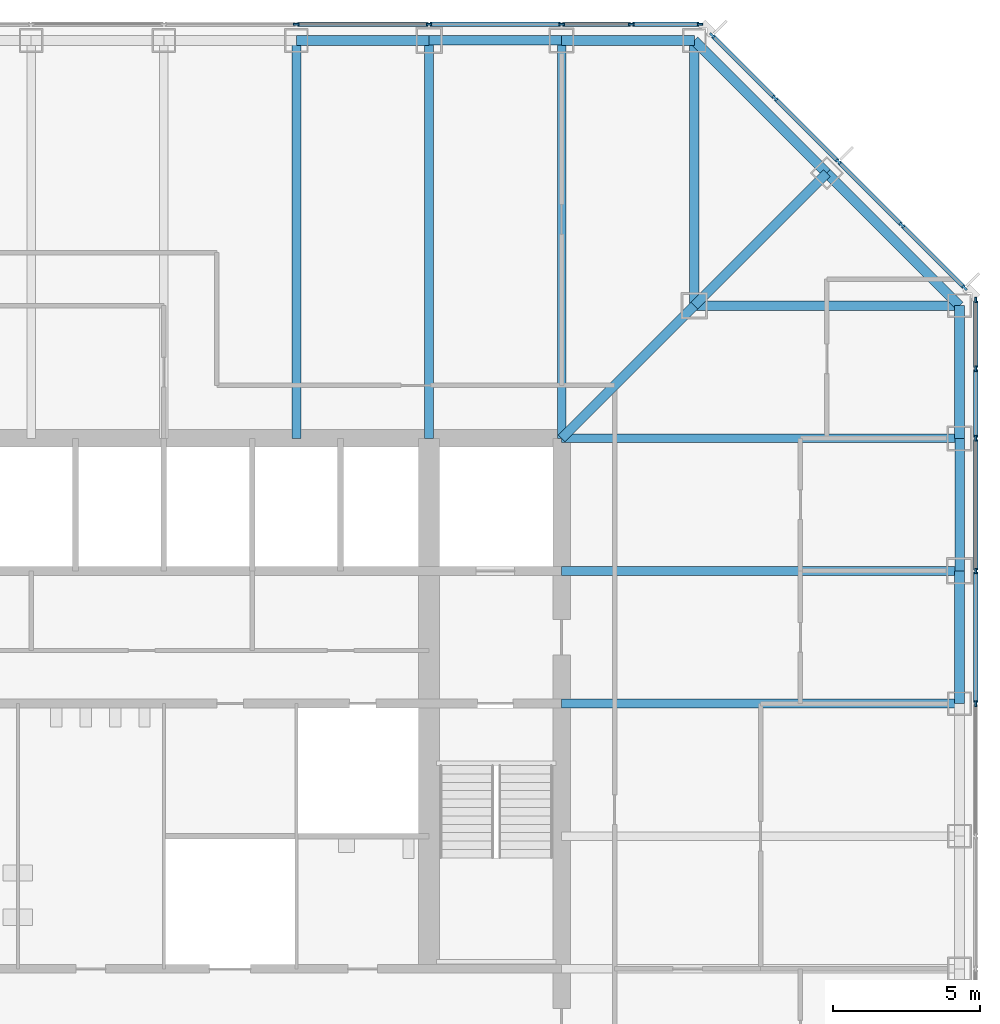
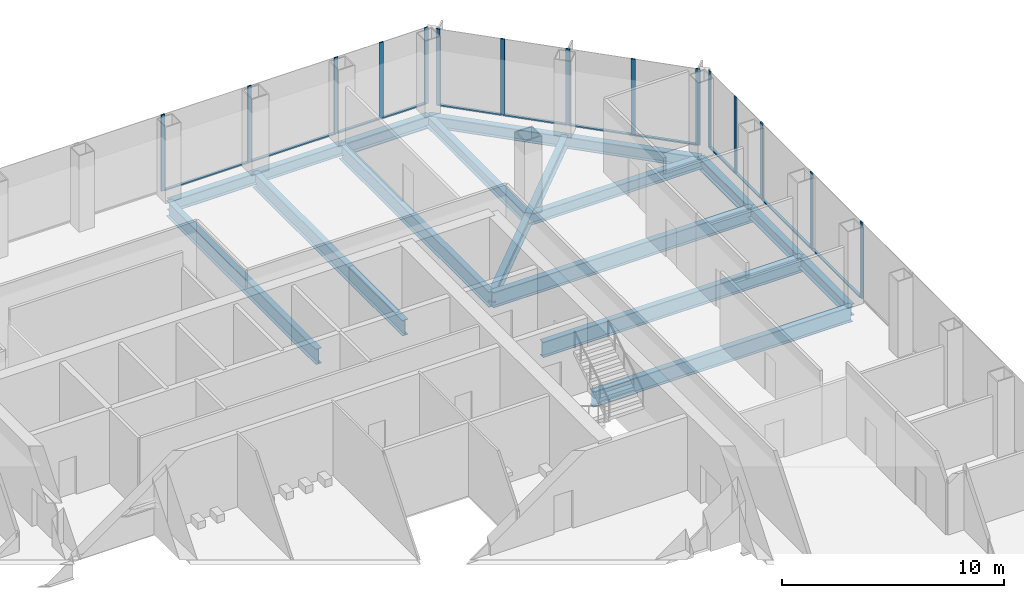
# One storey, part 6 of 12: 27 members, 18 beams, 3 elements without a shape of their own.
"""IFC4 building model written with IfcOpenShell, lengths in metres."""

from ifc_helpers import new_model, si_unit, direction, frame, origin, origin_2d, place, context, subcontext, project, spatial, rectangle, i_section, extrude, material, material_profile, profile_set, type_object, element, aggregate, save


model = new_model("IFC4")

# Units and contexts
model_context = context("Model", 3, precision=1e-05, world=origin(), true_north=direction((0.0, 1.0)))
body_context = subcontext(model_context, "Body", "Model", "MODEL_VIEW")
ifc_project = project(units=[si_unit("LENGTHUNIT", "METRE"), si_unit("AREAUNIT", "SQUARE_METRE"), si_unit("VOLUMEUNIT", "CUBIC_METRE"), si_unit("PLANEANGLEUNIT", "RADIAN"), si_unit("MASSUNIT", "GRAM", prefix="KILO")], contexts=[model_context])

# Site, building, storey
site_placement = place(None, origin())
site = spatial("IfcSite", under=ifc_project, at=site_placement, CompositionType="ELEMENT")
building_placement = place(site_placement, origin())
building = spatial("IfcBuilding", under=site, at=building_placement, Name="Corais Broadcast Tower", CompositionType="ELEMENT")
storey_placement = place(building_placement, frame((0.0, 0.0, 71.0)))
storey = spatial("IfcBuildingStorey", under=building, at=storey_placement, Name="L15", CompositionType="ELEMENT", Elevation=71.0)

# Beams
ifc_material_1 = material(Name="Steel ASTM A572 Grade 50", Category="steel")
ifc_material_profile_1 = material_profile(ifc_material_1, i_section(OverallWidth=0.323974609375, OverallDepth=0.611083984375, WebThickness=0.0126953125, FlangeThickness=0.01904296875, at=origin_2d()), Name="W610x155")
ifc_profile_set_1 = profile_set([ifc_material_profile_1], Name="Steel ASTM A572 Grade 50")
beam_type_1 = type_object("IfcBeamType", Name="Chamfer tie W610x155", PredefinedType="BEAM", material=ifc_profile_set_1)
beam_1_placement = place(storey_placement, frame((49.5, 49.5, -0.465576171875), z_axis=(-0.707106781187, -0.707106781187, 0.0), x_axis=(0.707106781187, -0.707106781187, 0.0)))
element("IfcBeam", 1, at=beam_1_placement, inside=storey, type_object=beam_type_1, Name="B5 M/14 to L/13", PredefinedType="BEAM", context=body_context, shape_type="SweptSolid", body=[
    extrude(i_section(OverallWidth=0.323974609375, OverallDepth=0.611083984375, WebThickness=0.0126953125, FlangeThickness=0.01904296875, at=origin_2d()), origin(), (0.0, 0.0, 1.0), 6.364013671875),
])
ifc_material_2 = material(Name="Steel ASTM A572 Grade 50", Category="steel")
ifc_material_profile_2 = material_profile(ifc_material_2, i_section(OverallWidth=0.323974609375, OverallDepth=0.611083984375, WebThickness=0.0126953125, FlangeThickness=0.01904296875, at=origin_2d()), Name="W610x155")
ifc_profile_set_2 = profile_set([ifc_material_profile_2], Name="Steel ASTM A572 Grade 50")
beam_type_2 = type_object("IfcBeamType", Name="Corner diagonal W610x155", PredefinedType="BEAM", material=ifc_profile_set_2)
beam_2_placement = place(storey_placement, frame((45.0, 45.0, -0.465576171875), z_axis=(-0.707106781187, -0.707106781187, 0.0), x_axis=(0.707106781187, -0.707106781187, 0.0)))
element("IfcBeam", 2, at=beam_2_placement, inside=storey, type_object=beam_type_2, Name="B6 L/13 to K/12", PredefinedType="BEAM", context=body_context, shape_type="SweptSolid", body=[
    extrude(i_section(OverallWidth=0.323974609375, OverallDepth=0.611083984375, WebThickness=0.0126953125, FlangeThickness=0.01904296875, at=origin_2d()), origin(), (0.0, 0.0, 1.0), 6.364013671875),
])
ifc_material_3 = material(Name="Steel ASTM A572 Grade 50", Category="steel")
ifc_material_profile_3 = material_profile(ifc_material_3, i_section(OverallWidth=0.323974609375, OverallDepth=0.611083984375, WebThickness=0.0126953125, FlangeThickness=0.01904296875, at=origin_2d()), Name="W610x155")
ifc_profile_set_3 = profile_set([ifc_material_profile_3], Name="Steel ASTM A572 Grade 50")
beam_type_3 = type_object("IfcBeamType", Name="Corner girder W610x155", PredefinedType="BEAM", material=ifc_profile_set_3)
for number, where, z_axis, x_axis, name in (
    (3, (45.0, 54.0, -0.465576171875), (0.0, -1.0, 0.0), (1.0, 0.0, 0.0), "B4 N/13 to L/13"),
    (4, (54.0, 45.0, -0.465576171875), (-1.0, 0.0, 0.0), (0.0, -1.0, 0.0), "B4 L/15 to L/13"),
):
    element("IfcBeam", number, at=place(storey_placement, frame(where, z_axis=z_axis, x_axis=x_axis)), inside=storey, type_object=beam_type_3, Name=name, PredefinedType="BEAM", context=body_context, shape_type="SweptSolid", body=[
        extrude(i_section(OverallWidth=0.323974609375, OverallDepth=0.611083984375, WebThickness=0.0126953125, FlangeThickness=0.01904296875, at=origin_2d()), origin(), (0.0, 0.0, 1.0), 9.0),
    ])
ifc_material_4 = material(Name="Steel ASTM A572 Grade 50", Category="steel")
ifc_material_profile_4 = material_profile(ifc_material_4, i_section(OverallWidth=0.337890625, OverallDepth=0.677978515625, WebThickness=0.029541015625, FlangeThickness=0.052978515625, at=origin_2d()), Name="W610x415")
ifc_profile_set_4 = profile_set([ifc_material_profile_4], Name="Steel ASTM A572 Grade 50")
beam_type_4 = type_object("IfcBeamType", Name="Corner spandrel W610x415", PredefinedType="BEAM", material=ifc_profile_set_4)
for number, where, z_axis, x_axis, name in (
    (5, (45.0, 54.0, -0.4990234375), (-1.0, 0.0, 0.0), (0.0, -1.0, 0.0), "SB10 N/13 to N/12"),
    (6, (54.0, 40.5, -0.4990234375), (0.0, 1.0, 0.0), (-1.0, 0.0, 0.0), "SB10 K/15 to L/15"),
):
    element("IfcBeam", number, at=place(storey_placement, frame(where, z_axis=z_axis, x_axis=x_axis)), inside=storey, type_object=beam_type_4, Name=name, PredefinedType="BEAM", context=body_context, shape_type="SweptSolid", body=[
        extrude(i_section(OverallWidth=0.337890625, OverallDepth=0.677978515625, WebThickness=0.029541015625, FlangeThickness=0.052978515625, at=origin_2d()), origin(), (0.0, 0.0, 1.0), 4.5),
    ])
ifc_material_5 = material(Name="Steel ASTM A572 Grade 50", Category="steel")
ifc_material_profile_5 = material_profile(ifc_material_5, i_section(OverallWidth=0.2939453125, OverallDepth=0.85107421875, WebThickness=0.01611328125, FlangeThickness=0.02685546875, at=origin_2d()), Name="W840x226")
ifc_profile_set_5 = profile_set([ifc_material_profile_5], Name="Steel ASTM A572 Grade 50")
beam_type_5 = type_object("IfcBeamType", Name="Floor beam W840x226", PredefinedType="BEAM", material=ifc_profile_set_5)
for number, where, z_axis, x_axis, name in (
    (7, (31.5, 54.0, -0.58544921875), (0.0, -1.0, 0.0), (1.0, 0.0, 0.0), "B1 N/10 to K/10"),
    (8, (36.0, 54.0, -0.58544921875), (0.0, -1.0, 0.0), (1.0, 0.0, 0.0), "B1 N/11 to K/11"),
    (9, (40.5, 54.0, -0.58544921875), (0.0, -1.0, 0.0), (1.0, 0.0, 0.0), "B1 N/12 to K/12"),
    (10, (54.0, 31.5, -0.58544921875), (-1.0, 0.0, 0.0), (0.0, -1.0, 0.0), "B1 H/15 to H/12"),
    (11, (54.0, 36.0, -0.58544921875), (-1.0, 0.0, 0.0), (0.0, -1.0, 0.0), "B1 J/15 to J/12"),
    (12, (54.0, 40.5, -0.58544921875), (-1.0, 0.0, 0.0), (0.0, -1.0, 0.0), "B1 K/15 to K/12"),
):
    element("IfcBeam", number, at=place(storey_placement, frame(where, z_axis=z_axis, x_axis=x_axis)), inside=storey, type_object=beam_type_5, Name=name, PredefinedType="BEAM", context=body_context, shape_type="SweptSolid", body=[
        extrude(i_section(OverallWidth=0.2939453125, OverallDepth=0.85107421875, WebThickness=0.01611328125, FlangeThickness=0.02685546875, at=origin_2d()), origin(), (0.0, 0.0, 1.0), 13.5),
    ])

# Curtain wall, members
ifc_material_6 = material(Name="Aluminium and glass", Category="aluminium")
curtain_wall_type = type_object("IfcCurtainWallType", Name="Unitised fritted curtain wall CW1", PredefinedType="NOTDEFINED", material=ifc_material_6)
curtain_wall_1_placement = place(storey_placement, origin())
curtain_wall_1 = element("IfcCurtainWall", 13, at=curtain_wall_1_placement, inside=storey, type_object=curtain_wall_type, Name="CW1 curtain wall L15 4", PredefinedType="NOTDEFINED")
ifc_material_7 = material(Name="Aluminium 6063-T6", Category="aluminium")
ifc_material_profile_6 = material_profile(ifc_material_7, rectangle(XDim=0.06494140625, YDim=0.199951171875, at=origin_2d()), Name="Mullion CW1 65x200")
ifc_profile_set_6 = profile_set([ifc_material_profile_6], Name="Aluminium 6063-T6")
member_type_1 = type_object("IfcMemberType", Name="Mullion CW1 65x200", PredefinedType="MULLION", material=ifc_profile_set_6)
member_1_placement = place(storey_placement, frame((31.5, 54.550048828125, 0.0), z_axis=(0.0, 0.0, 1.0), x_axis=(0.0, 1.0, 0.0)))
member_1 = element("IfcMember", 14, at=member_1_placement, type_object=member_type_1, Name="CW1 mullion 7", PredefinedType="MULLION", context=body_context, shape_type="SweptSolid", body=[
    extrude(rectangle(XDim=0.06494140625, YDim=0.199951171875, at=origin_2d()), origin(), (0.0, 0.0, 1.0), 4.199951171875),
])
member_2_placement = place(storey_placement, frame((36.0, 54.550048828125, 0.0), z_axis=(0.0, 0.0, 1.0), x_axis=(0.0, 1.0, 0.0)))
member_2 = element("IfcMember", 15, at=member_2_placement, type_object=member_type_1, Name="CW1 mullion 8", PredefinedType="MULLION", context=body_context, shape_type="SweptSolid", body=[
    extrude(rectangle(XDim=0.06494140625, YDim=0.199951171875, at=origin_2d()), origin(), (0.0, 0.0, 1.0), 4.199951171875),
])
member_3_placement = place(storey_placement, frame((40.5, 54.550048828125, 0.0), z_axis=(0.0, 0.0, 1.0), x_axis=(0.0, 1.0, 0.0)))
member_3 = element("IfcMember", 16, at=member_3_placement, type_object=member_type_1, Name="CW1 mullion 9", PredefinedType="MULLION", context=body_context, shape_type="SweptSolid", body=[
    extrude(rectangle(XDim=0.06494140625, YDim=0.199951171875, at=origin_2d()), origin(), (0.0, 0.0, 1.0), 4.199951171875),
])
member_4_placement = place(storey_placement, frame((42.864013671875, 54.550048828125, 0.0), z_axis=(0.0, 0.0, 1.0), x_axis=(0.0, 1.0, 0.0)))
member_4 = element("IfcMember", 17, at=member_4_placement, type_object=member_type_1, Name="CW1 mullion 10", PredefinedType="MULLION", context=body_context, shape_type="SweptSolid", body=[
    extrude(rectangle(XDim=0.06494140625, YDim=0.199951171875, at=origin_2d()), origin(), (0.0, 0.0, 1.0), 4.199951171875),
])
member_5_placement = place(storey_placement, frame((45.1953125, 54.550048828125, 0.0), z_axis=(0.0, 0.0, 1.0), x_axis=(0.0, 1.0, 0.0)))
member_5 = element("IfcMember", 18, at=member_5_placement, type_object=member_type_1, Name="CW1 mullion 11", PredefinedType="MULLION", context=body_context, shape_type="SweptSolid", body=[
    extrude(rectangle(XDim=0.06494140625, YDim=0.199951171875, at=origin_2d()), origin(), (0.0, 0.0, 1.0), 4.199951171875),
])

curtain_wall_2_placement = place(storey_placement, origin())
curtain_wall_2 = element("IfcCurtainWall", 19, at=curtain_wall_2_placement, inside=storey, type_object=curtain_wall_type, Name="CW1 curtain wall L15 5", PredefinedType="NOTDEFINED")
member_6_placement = place(storey_placement, frame((45.6044921875, 54.17333984375, 0.0), z_axis=(0.0, 0.0, 1.0), x_axis=(0.707106781187, 0.707106781187, 0.0)))
member_6 = element("IfcMember", 20, at=member_6_placement, type_object=member_type_1, Name="CW1 mullion 1", PredefinedType="MULLION", context=body_context, shape_type="SweptSolid", body=[
    extrude(rectangle(XDim=0.06494140625, YDim=0.199951171875, at=origin_2d()), origin(), (0.0, 0.0, 1.0), 4.199951171875),
])
member_7_placement = place(storey_placement, frame((47.735107421875, 52.042724609375, 0.0), z_axis=(0.0, 0.0, 1.0), x_axis=(0.707106781187, 0.707106781187, 0.0)))
member_7 = element("IfcMember", 21, at=member_7_placement, type_object=member_type_1, Name="CW1 mullion 2", PredefinedType="MULLION", context=body_context, shape_type="SweptSolid", body=[
    extrude(rectangle(XDim=0.06494140625, YDim=0.199951171875, at=origin_2d()), origin(), (0.0, 0.0, 1.0), 4.199951171875),
])
member_8_placement = place(storey_placement, frame((49.888916015625, 49.888916015625, 0.0), z_axis=(0.0, 0.0, 1.0), x_axis=(0.707106781187, 0.707106781187, 0.0)))
member_8 = element("IfcMember", 22, at=member_8_placement, type_object=member_type_1, Name="CW1 mullion 3", PredefinedType="MULLION", context=body_context, shape_type="SweptSolid", body=[
    extrude(rectangle(XDim=0.06494140625, YDim=0.199951171875, at=origin_2d()), origin(), (0.0, 0.0, 1.0), 4.199951171875),
])
member_9_placement = place(storey_placement, frame((52.042724609375, 47.735107421875, 0.0), z_axis=(0.0, 0.0, 1.0), x_axis=(0.707106781187, 0.707106781187, 0.0)))
member_9 = element("IfcMember", 23, at=member_9_placement, type_object=member_type_1, Name="CW1 mullion 4", PredefinedType="MULLION", context=body_context, shape_type="SweptSolid", body=[
    extrude(rectangle(XDim=0.06494140625, YDim=0.199951171875, at=origin_2d()), origin(), (0.0, 0.0, 1.0), 4.199951171875),
])
member_10_placement = place(storey_placement, frame((54.17333984375, 45.6044921875, 0.0), z_axis=(0.0, 0.0, 1.0), x_axis=(0.707106781187, 0.707106781187, 0.0)))
member_10 = element("IfcMember", 24, at=member_10_placement, type_object=member_type_1, Name="CW1 mullion 5", PredefinedType="MULLION", context=body_context, shape_type="SweptSolid", body=[
    extrude(rectangle(XDim=0.06494140625, YDim=0.199951171875, at=origin_2d()), origin(), (0.0, 0.0, 1.0), 4.199951171875),
])

curtain_wall_3_placement = place(storey_placement, origin())
curtain_wall_3 = element("IfcCurtainWall", 25, at=curtain_wall_3_placement, inside=storey, type_object=curtain_wall_type, Name="CW1 curtain wall L15 6", PredefinedType="NOTDEFINED")
member_11_placement = place(storey_placement, frame((54.550048828125, 45.1953125, 0.0), z_axis=(0.0, 0.0, 1.0), x_axis=(1.0, 0.0, 0.0)))
member_11 = element("IfcMember", 26, at=member_11_placement, type_object=member_type_1, Name="CW1 mullion 1", PredefinedType="MULLION", context=body_context, shape_type="SweptSolid", body=[
    extrude(rectangle(XDim=0.06494140625, YDim=0.199951171875, at=origin_2d()), origin(), (0.0, 0.0, 1.0), 4.199951171875),
])
member_12_placement = place(storey_placement, frame((54.550048828125, 42.864013671875, 0.0), z_axis=(0.0, 0.0, 1.0), x_axis=(1.0, 0.0, 0.0)))
member_12 = element("IfcMember", 27, at=member_12_placement, type_object=member_type_1, Name="CW1 mullion 2", PredefinedType="MULLION", context=body_context, shape_type="SweptSolid", body=[
    extrude(rectangle(XDim=0.06494140625, YDim=0.199951171875, at=origin_2d()), origin(), (0.0, 0.0, 1.0), 4.199951171875),
])
member_13_placement = place(storey_placement, frame((54.550048828125, 40.5, 0.0), z_axis=(0.0, 0.0, 1.0), x_axis=(1.0, 0.0, 0.0)))
member_13 = element("IfcMember", 28, at=member_13_placement, type_object=member_type_1, Name="CW1 mullion 3", PredefinedType="MULLION", context=body_context, shape_type="SweptSolid", body=[
    extrude(rectangle(XDim=0.06494140625, YDim=0.199951171875, at=origin_2d()), origin(), (0.0, 0.0, 1.0), 4.199951171875),
])
member_14_placement = place(storey_placement, frame((54.550048828125, 36.0, 0.0), z_axis=(0.0, 0.0, 1.0), x_axis=(1.0, 0.0, 0.0)))
member_14 = element("IfcMember", 29, at=member_14_placement, type_object=member_type_1, Name="CW1 mullion 4", PredefinedType="MULLION", context=body_context, shape_type="SweptSolid", body=[
    extrude(rectangle(XDim=0.06494140625, YDim=0.199951171875, at=origin_2d()), origin(), (0.0, 0.0, 1.0), 4.199951171875),
])
member_15_placement = place(storey_placement, frame((54.550048828125, 31.5, 0.0), z_axis=(0.0, 0.0, 1.0), x_axis=(1.0, 0.0, 0.0)))
member_15 = element("IfcMember", 30, at=member_15_placement, type_object=member_type_1, Name="CW1 mullion 5", PredefinedType="MULLION", context=body_context, shape_type="SweptSolid", body=[
    extrude(rectangle(XDim=0.06494140625, YDim=0.199951171875, at=origin_2d()), origin(), (0.0, 0.0, 1.0), 4.199951171875),
])

# Beams
ifc_material_8 = material(Name="Steel ASTM A572 Grade 50", Category="steel")
ifc_material_profile_7 = material_profile(ifc_material_8, i_section(OverallWidth=0.323974609375, OverallDepth=0.611083984375, WebThickness=0.0126953125, FlangeThickness=0.01904296875, at=origin_2d()), Name="W610x155")
ifc_profile_set_7 = profile_set([ifc_material_profile_7], Name="Steel ASTM A572 Grade 50")
beam_type_6 = type_object("IfcBeamType", Name="Pinned spandrel W610x155", PredefinedType="BEAM", material=ifc_profile_set_7)
for number, where, z_axis, x_axis, name in (
    (31, (40.5, 54.0, -0.465576171875), (-1.0, 0.0, 0.0), (0.0, -1.0, 0.0), "SB6 N/12 to N/11"),
    (32, (54.0, 36.0, -0.465576171875), (0.0, 1.0, 0.0), (-1.0, 0.0, 0.0), "SB6 J/15 to K/15"),
):
    element("IfcBeam", number, at=place(storey_placement, frame(where, z_axis=z_axis, x_axis=x_axis)), inside=storey, type_object=beam_type_6, Name=name, PredefinedType="BEAM", context=body_context, shape_type="SweptSolid", body=[
        extrude(i_section(OverallWidth=0.323974609375, OverallDepth=0.611083984375, WebThickness=0.0126953125, FlangeThickness=0.01904296875, at=origin_2d()), origin(), (0.0, 0.0, 1.0), 4.5),
    ])
ifc_material_9 = material(Name="Steel ASTM A572 Grade 50", Category="steel")
ifc_material_profile_8 = material_profile(ifc_material_9, i_section(OverallWidth=0.3291015625, OverallDepth=0.635009765625, WebThickness=0.017822265625, FlangeThickness=0.031005859375, at=origin_2d()), Name="W610x241")
ifc_profile_set_8 = profile_set([ifc_material_profile_8], Name="Steel ASTM A572 Grade 50")
beam_type_7 = type_object("IfcBeamType", Name="Spandrel W610x241", PredefinedType="BEAM", material=ifc_profile_set_8)
beam_3_placement = place(storey_placement, frame((36.0, 54.0, -0.4775390625), z_axis=(-1.0, 0.0, 0.0), x_axis=(0.0, -1.0, 0.0)))
element("IfcBeam", 33, at=beam_3_placement, inside=storey, type_object=beam_type_7, Name="SB1 N/11 to N/10", PredefinedType="BEAM", context=body_context, shape_type="SweptSolid", body=[
    extrude(i_section(OverallWidth=0.3291015625, OverallDepth=0.635009765625, WebThickness=0.017822265625, FlangeThickness=0.031005859375, at=origin_2d()), origin(), (0.0, 0.0, 1.0), 4.5),
])
beam_4_placement = place(storey_placement, frame((49.5, 49.5, -0.4775390625), z_axis=(-0.707106781187, 0.707106781187, 0.0), x_axis=(-0.707106781187, -0.707106781187, 0.0)))
element("IfcBeam", 34, at=beam_4_placement, inside=storey, type_object=beam_type_7, Name="SB1 M/14 to N/13", PredefinedType="BEAM", context=body_context, shape_type="SweptSolid", body=[
    extrude(i_section(OverallWidth=0.3291015625, OverallDepth=0.635009765625, WebThickness=0.017822265625, FlangeThickness=0.031005859375, at=origin_2d()), origin(), (0.0, 0.0, 1.0), 6.364013671875),
])
beam_5_placement = place(storey_placement, frame((54.0, 31.5, -0.4775390625), z_axis=(0.0, 1.0, 0.0), x_axis=(-1.0, 0.0, 0.0)))
element("IfcBeam", 35, at=beam_5_placement, inside=storey, type_object=beam_type_7, Name="SB1 H/15 to J/15", PredefinedType="BEAM", context=body_context, shape_type="SweptSolid", body=[
    extrude(i_section(OverallWidth=0.3291015625, OverallDepth=0.635009765625, WebThickness=0.017822265625, FlangeThickness=0.031005859375, at=origin_2d()), origin(), (0.0, 0.0, 1.0), 4.5),
])
beam_6_placement = place(storey_placement, frame((54.0, 45.0, -0.4775390625), z_axis=(-0.707106781187, 0.707106781187, 0.0), x_axis=(-0.707106781187, -0.707106781187, 0.0)))
element("IfcBeam", 36, at=beam_6_placement, inside=storey, type_object=beam_type_7, Name="SB1 L/15 to M/14", PredefinedType="BEAM", context=body_context, shape_type="SweptSolid", body=[
    extrude(i_section(OverallWidth=0.3291015625, OverallDepth=0.635009765625, WebThickness=0.017822265625, FlangeThickness=0.031005859375, at=origin_2d()), origin(), (0.0, 0.0, 1.0), 6.364013671875),
])

# Member
ifc_material_10 = material(Name="Aluminium 6063-T6", Category="aluminium")
ifc_material_profile_9 = material_profile(ifc_material_10, rectangle(XDim=0.139892578125, YDim=0.06494140625, at=origin_2d()), Name="Transom CW1 65x140")
ifc_profile_set_9 = profile_set([ifc_material_profile_9], Name="Aluminium 6063-T6")
member_type_2 = type_object("IfcMemberType", Name="Transom CW1 65x140", PredefinedType="USERDEFINED", material=ifc_profile_set_9)
member_16_placement = place(storey_placement, frame((31.532470703125, 54.550048828125, 0.032470703125), z_axis=(1.0, 0.0, 0.0), x_axis=(0.0, 1.0, 0.0)))
member_16 = element("IfcMember", 37, at=member_16_placement, type_object=member_type_2, Name="CW1 transom 7.1", ObjectType="TRANSOM", PredefinedType="USERDEFINED", context=body_context, shape_type="SweptSolid", body=[
    extrude(rectangle(XDim=0.139892578125, YDim=0.06494140625, at=origin_2d()), origin(), (0.0, 0.0, 1.0), 4.43505859375),
])

member_17_placement = place(storey_placement, frame((36.032470703125, 54.550048828125, 0.032470703125), z_axis=(1.0, 0.0, 0.0), x_axis=(0.0, 1.0, 0.0)))
member_17 = element("IfcMember", 38, at=member_17_placement, type_object=member_type_2, Name="CW1 transom 8.1", ObjectType="TRANSOM", PredefinedType="USERDEFINED", context=body_context, shape_type="SweptSolid", body=[
    extrude(rectangle(XDim=0.139892578125, YDim=0.06494140625, at=origin_2d()), origin(), (0.0, 0.0, 1.0), 4.43505859375),
])

member_18_placement = place(storey_placement, frame((40.532470703125, 54.550048828125, 0.032470703125), z_axis=(1.0, 0.0, 0.0), x_axis=(0.0, 1.0, 0.0)))
member_18 = element("IfcMember", 39, at=member_18_placement, type_object=member_type_2, Name="CW1 transom 9.1", ObjectType="TRANSOM", PredefinedType="USERDEFINED", context=body_context, shape_type="SweptSolid", body=[
    extrude(rectangle(XDim=0.139892578125, YDim=0.06494140625, at=origin_2d()), origin(), (0.0, 0.0, 1.0), 2.298828125),
])

member_19_placement = place(storey_placement, frame((42.896484375, 54.550048828125, 0.032470703125), z_axis=(1.0, 0.0, 0.0), x_axis=(0.0, 1.0, 0.0)))
member_19 = element("IfcMember", 40, at=member_19_placement, type_object=member_type_2, Name="CW1 transom 10.1", ObjectType="TRANSOM", PredefinedType="USERDEFINED", context=body_context, shape_type="SweptSolid", body=[
    extrude(rectangle(XDim=0.139892578125, YDim=0.06494140625, at=origin_2d()), origin(), (0.0, 0.0, 1.0), 2.266357421875),
])

aggregate(curtain_wall_1, [member_1, member_2, member_3, member_4, member_5, member_16, member_17, member_18, member_19])

member_20_placement = place(storey_placement, frame((45.62744140625, 54.150390625, 0.032470703125), z_axis=(0.707106781187, -0.707106781187, 0.0), x_axis=(0.707106781187, 0.707106781187, 0.0)))
member_20 = element("IfcMember", 41, at=member_20_placement, type_object=member_type_2, Name="CW1 transom 1.1", ObjectType="TRANSOM", PredefinedType="USERDEFINED", context=body_context, shape_type="SweptSolid", body=[
    extrude(rectangle(XDim=0.139892578125, YDim=0.06494140625, at=origin_2d()), origin(), (0.0, 0.0, 1.0), 2.9482421875),
])

member_21_placement = place(storey_placement, frame((47.758056640625, 52.019775390625, 0.032470703125), z_axis=(0.707106781187, -0.707106781187, 0.0), x_axis=(0.707106781187, 0.707106781187, 0.0)))
member_21 = element("IfcMember", 42, at=member_21_placement, type_object=member_type_2, Name="CW1 transom 2.1", ObjectType="TRANSOM", PredefinedType="USERDEFINED", context=body_context, shape_type="SweptSolid", body=[
    extrude(rectangle(XDim=0.139892578125, YDim=0.06494140625, at=origin_2d()), origin(), (0.0, 0.0, 1.0), 2.98095703125),
])

member_22_placement = place(storey_placement, frame((49.911865234375, 49.865966796875, 0.032470703125), z_axis=(0.707106781187, -0.707106781187, 0.0), x_axis=(0.707106781187, 0.707106781187, 0.0)))
member_22 = element("IfcMember", 43, at=member_22_placement, type_object=member_type_2, Name="CW1 transom 3.1", ObjectType="TRANSOM", PredefinedType="USERDEFINED", context=body_context, shape_type="SweptSolid", body=[
    extrude(rectangle(XDim=0.139892578125, YDim=0.06494140625, at=origin_2d()), origin(), (0.0, 0.0, 1.0), 2.98095703125),
])

member_23_placement = place(storey_placement, frame((52.065673828125, 47.712158203125, 0.032470703125), z_axis=(0.707106781187, -0.707106781187, 0.0), x_axis=(0.707106781187, 0.707106781187, 0.0)))
member_23 = element("IfcMember", 44, at=member_23_placement, type_object=member_type_2, Name="CW1 transom 4.1", ObjectType="TRANSOM", PredefinedType="USERDEFINED", context=body_context, shape_type="SweptSolid", body=[
    extrude(rectangle(XDim=0.139892578125, YDim=0.06494140625, at=origin_2d()), origin(), (0.0, 0.0, 1.0), 2.9482421875),
])

aggregate(curtain_wall_2, [member_6, member_7, member_8, member_9, member_10, member_20, member_21, member_22, member_23])

member_24_placement = place(storey_placement, frame((54.550048828125, 45.162841796875, 0.032470703125), z_axis=(0.0, -1.0, 0.0), x_axis=(1.0, 0.0, 0.0)))
member_24 = element("IfcMember", 45, at=member_24_placement, type_object=member_type_2, Name="CW1 transom 1.1", ObjectType="TRANSOM", PredefinedType="USERDEFINED", context=body_context, shape_type="SweptSolid", body=[
    extrude(rectangle(XDim=0.139892578125, YDim=0.06494140625, at=origin_2d()), origin(), (0.0, 0.0, 1.0), 2.266357421875),
])

member_25_placement = place(storey_placement, frame((54.550048828125, 42.831298828125, 0.032470703125), z_axis=(0.0, -1.0, 0.0), x_axis=(1.0, 0.0, 0.0)))
member_25 = element("IfcMember", 46, at=member_25_placement, type_object=member_type_2, Name="CW1 transom 2.1", ObjectType="TRANSOM", PredefinedType="USERDEFINED", context=body_context, shape_type="SweptSolid", body=[
    extrude(rectangle(XDim=0.139892578125, YDim=0.06494140625, at=origin_2d()), origin(), (0.0, 0.0, 1.0), 2.298828125),
])

member_26_placement = place(storey_placement, frame((54.550048828125, 40.467529296875, 0.032470703125), z_axis=(0.0, -1.0, 0.0), x_axis=(1.0, 0.0, 0.0)))
member_26 = element("IfcMember", 47, at=member_26_placement, type_object=member_type_2, Name="CW1 transom 3.1", ObjectType="TRANSOM", PredefinedType="USERDEFINED", context=body_context, shape_type="SweptSolid", body=[
    extrude(rectangle(XDim=0.139892578125, YDim=0.06494140625, at=origin_2d()), origin(), (0.0, 0.0, 1.0), 4.43505859375),
])

member_27_placement = place(storey_placement, frame((54.550048828125, 35.967529296875, 0.032470703125), z_axis=(0.0, -1.0, 0.0), x_axis=(1.0, 0.0, 0.0)))
member_27 = element("IfcMember", 48, at=member_27_placement, type_object=member_type_2, Name="CW1 transom 4.1", ObjectType="TRANSOM", PredefinedType="USERDEFINED", context=body_context, shape_type="SweptSolid", body=[
    extrude(rectangle(XDim=0.139892578125, YDim=0.06494140625, at=origin_2d()), origin(), (0.0, 0.0, 1.0), 4.43505859375),
])

aggregate(curtain_wall_3, [member_11, member_12, member_13, member_14, member_15, member_24, member_25, member_26, member_27])

save(model, "model.ifc")
